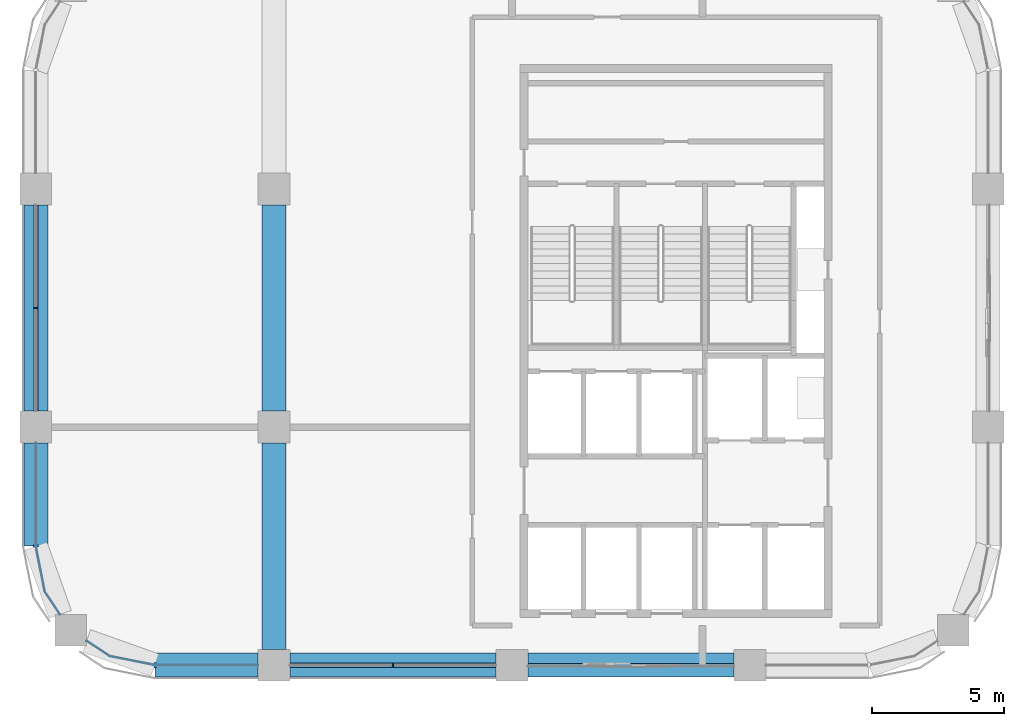
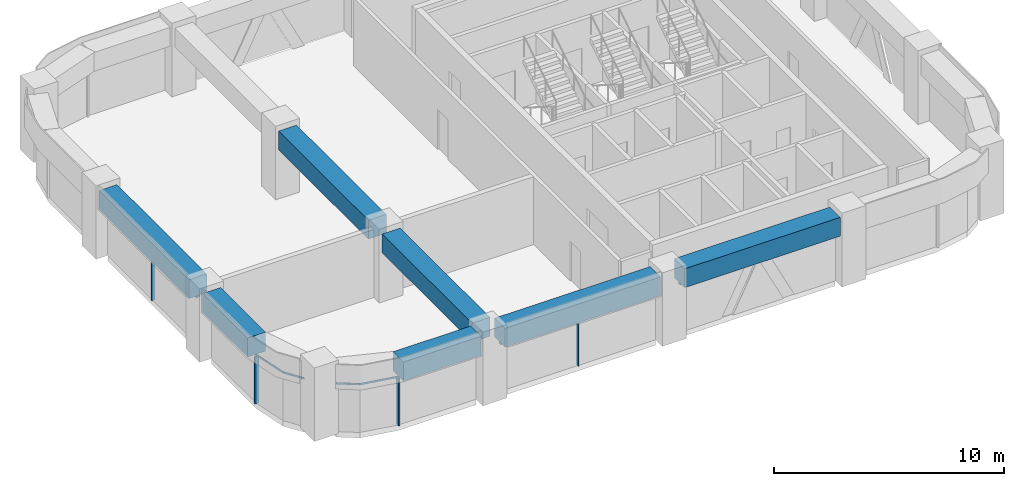
# One storey, part 2 of 9: 9 members, 7 beams, 5 elements without a shape of their own.
"""IFC4 building model written with IfcOpenShell, lengths in metres."""

from ifc_helpers import new_model, si_unit, direction, frame, origin, origin_2d, place, context, subcontext, project, spatial, polyline, rectangle, outline, extrude, material, material_profile, profile_set, type_object, element, aggregate, save


model = new_model("IFC4")

# Units and contexts
model_context = context("Model", 3, precision=1e-05, world=origin(), true_north=direction((0.0, 1.0)))
body_context = subcontext(model_context, "Body", "Model", "MODEL_VIEW")
ifc_project = project(units=[si_unit("LENGTHUNIT", "METRE"), si_unit("AREAUNIT", "SQUARE_METRE"), si_unit("VOLUMEUNIT", "CUBIC_METRE"), si_unit("PLANEANGLEUNIT", "RADIAN"), si_unit("MASSUNIT", "GRAM", prefix="KILO")], contexts=[model_context])

# Site, building, storey
site_placement = place(None, origin())
site = spatial("IfcSite", under=ifc_project, at=site_placement, CompositionType="ELEMENT")
building_placement = place(site_placement, origin())
building = spatial("IfcBuilding", under=site, at=building_placement, Name="Tessera Arch", CompositionType="ELEMENT")
storey_placement = place(building_placement, frame((0.0, 0.0, 305.10009765625)))
storey = spatial("IfcBuildingStorey", under=building, at=storey_placement, Name="L73", CompositionType="ELEMENT", Elevation=305.10009765625)

# Curtain wall, member
ifc_material_1 = material(Name="CW1 curtain wall")
curtain_wall_type_1 = type_object("IfcCurtainWallType", Name="CW1 curtain wall", PredefinedType="NOTDEFINED", material=ifc_material_1)
curtain_wall_1_placement = place(storey_placement, origin())
curtain_wall_1 = element("IfcCurtainWall", 1, at=curtain_wall_1_placement, inside=storey, type_object=curtain_wall_type_1, Name="CW1 curtain wall W18.27/1 L73", PredefinedType="NOTDEFINED")
ifc_material_2 = material(Name="Anodised aluminium pale metal", Category="aluminium")
ifc_material_profile_1 = material_profile(ifc_material_2, rectangle(XDim=0.159912109375, YDim=0.06005859375, at=origin_2d()), Name="AL 60x160")
ifc_profile_set_1 = profile_set([ifc_material_profile_1], Name="Anodised aluminium pale metal")
member_type_1 = type_object("IfcMemberType", Name="CW1 mullion", PredefinedType="MULLION", material=ifc_profile_set_1)
member_1_placement = place(storey_placement, frame((18.0, 40.5, 0.0), z_axis=(0.0, 0.0, 1.0), x_axis=(1.0, 0.0, 0.0)))
member_1 = element("IfcMember", 2, at=member_1_placement, type_object=member_type_1, Name="CW1 mullion W18.27/1 1", PredefinedType="MULLION", context=body_context, shape_type="SweptSolid", body=[
    extrude(rectangle(XDim=0.159912109375, YDim=0.06005859375, at=origin_2d()), origin(), (0.0, 0.0, 1.0), 2.5),
])

curtain_wall_2_placement = place(storey_placement, origin())
curtain_wall_2 = element("IfcCurtainWall", 3, at=curtain_wall_2_placement, inside=storey, type_object=curtain_wall_type_1, Name="CW1 curtain wall S27.18/1 L73", PredefinedType="NOTDEFINED")
member_2_placement = place(storey_placement, frame((31.5, 27.0, 0.0), z_axis=(0.0, 0.0, 1.0), x_axis=(0.0, 1.0, 0.0)))
member_2 = element("IfcMember", 4, at=member_2_placement, type_object=member_type_1, Name="CW1 mullion S27.18/1 1", PredefinedType="MULLION", context=body_context, shape_type="SweptSolid", body=[
    extrude(rectangle(XDim=0.159912109375, YDim=0.06005859375, at=origin_2d()), origin(), (0.0, 0.0, 1.0), 2.5),
])

# Member
ifc_material_3 = material(Name="Anodised aluminium pale metal", Category="aluminium")
ifc_material_profile_2 = material_profile(ifc_material_3, rectangle(XDim=0.159912109375, YDim=0.10009765625, at=origin_2d()), Name="AL 160x100")
ifc_profile_set_2 = profile_set([ifc_material_profile_2], Name="Anodised aluminium pale metal")
member_type_2 = type_object("IfcMemberType", Name="CW1 transom", PredefinedType="USERDEFINED", material=ifc_profile_set_2)
member_3_placement = place(storey_placement, frame((18.0, 44.39990234375, 2.5498046875), z_axis=(0.0, -1.0, 0.0), x_axis=(1.0, 0.0, 0.0)))
member_3 = element("IfcMember", 5, at=member_3_placement, type_object=member_type_2, Name="CW1 transom W18.27/1 1.1", ObjectType="TRANSOM", PredefinedType="USERDEFINED", context=body_context, shape_type="SweptSolid", body=[
    extrude(rectangle(XDim=0.159912109375, YDim=0.10009765625, at=origin_2d()), origin(), (0.0, 0.0, 1.0), 7.7998046875),
])

aggregate(curtain_wall_1, [member_1, member_3])

member_4_placement = place(storey_placement, frame((27.60009765625, 27.0, 2.5498046875), z_axis=(1.0, 0.0, 0.0), x_axis=(0.0, 1.0, 0.0)))
member_4 = element("IfcMember", 6, at=member_4_placement, type_object=member_type_2, Name="CW1 transom S27.18/1 1.1", ObjectType="TRANSOM", PredefinedType="USERDEFINED", context=body_context, shape_type="SweptSolid", body=[
    extrude(rectangle(XDim=0.159912109375, YDim=0.10009765625, at=origin_2d()), origin(), (0.0, 0.0, 1.0), 7.7998046875),
])

aggregate(curtain_wall_2, [member_2, member_4])

# Curtain wall, member
ifc_material_4 = material(Name="CW2 curtain wall")
curtain_wall_type_2 = type_object("IfcCurtainWallType", Name="CW2 curtain wall", PredefinedType="NOTDEFINED", material=ifc_material_4)
curtain_wall_3_placement = place(storey_placement, origin())
curtain_wall_3 = element("IfcCurtainWall", 7, at=curtain_wall_3_placement, inside=storey, type_object=curtain_wall_type_2, Name="CW2 curtain wall W18.27/2 L73", PredefinedType="NOTDEFINED")
ifc_material_5 = material(Name="Anodised aluminium pale metal", Category="aluminium")
ifc_material_profile_3 = material_profile(ifc_material_5, rectangle(XDim=0.199951171875, YDim=0.080078125, at=origin_2d()), Name="AL 80x200")
ifc_profile_set_3 = profile_set([ifc_material_profile_3], Name="Anodised aluminium pale metal")
member_type_3 = type_object("IfcMemberType", Name="CW2 mullion", PredefinedType="MULLION", material=ifc_profile_set_3)
member_5_placement = place(storey_placement, frame((18.0, 31.5, 0.0), z_axis=(0.0, 0.0, 1.0), x_axis=(1.0, 0.0, 0.0)))
member_5 = element("IfcMember", 8, at=member_5_placement, type_object=member_type_3, Name="CW2 mullion W18.27/2 1", PredefinedType="MULLION", context=body_context, shape_type="SweptSolid", body=[
    extrude(rectangle(XDim=0.199951171875, YDim=0.080078125, at=origin_2d()), origin(), (0.0, 0.0, 1.0), 2.5),
])

curtain_wall_4_placement = place(storey_placement, origin())
curtain_wall_4 = element("IfcCurtainWall", 9, at=curtain_wall_4_placement, inside=storey, type_object=curtain_wall_type_2, Name="CW2 curtain wall S27.18/0 L73", PredefinedType="NOTDEFINED")
member_6_placement = place(storey_placement, frame((22.5, 27.0, 0.0), z_axis=(0.0, 0.0, 1.0), x_axis=(0.0, 1.0, 0.0)))
member_6 = element("IfcMember", 10, at=member_6_placement, type_object=member_type_3, Name="CW2 mullion S27.18/0 1", PredefinedType="MULLION", context=body_context, shape_type="SweptSolid", body=[
    extrude(rectangle(XDim=0.199951171875, YDim=0.080078125, at=origin_2d()), origin(), (0.0, 0.0, 1.0), 2.5),
])

# Member
ifc_material_6 = material(Name="Anodised aluminium pale metal", Category="aluminium")
ifc_material_profile_4 = material_profile(ifc_material_6, rectangle(XDim=0.199951171875, YDim=0.10009765625, at=origin_2d()), Name="AL 200x100")
ifc_profile_set_4 = profile_set([ifc_material_profile_4], Name="Anodised aluminium pale metal")
member_type_4 = type_object("IfcMemberType", Name="CW2 transom", PredefinedType="USERDEFINED", material=ifc_profile_set_4)
member_7_placement = place(storey_placement, frame((0.0, 0.0, 2.5)))
member_7 = element("IfcMember", 11, at=member_7_placement, type_object=member_type_4, Name="CW2 transom W18.27/2 1", ObjectType="TRANSOM", PredefinedType="USERDEFINED", context=body_context, shape_type="SweptSolid", body=[
    extrude(outline(polyline([(18.010009765625, 31.5009765625), (18.010009765625, 35.39990234375), (17.989990234375, 35.39990234375), (17.989990234375, 31.4990234375), (18.3330078125, 29.77392578125), (18.90869140625, 28.912353515625), (18.92529296875, 28.923583984375), (18.351806640625, 29.78173828125), (18.010009765625, 31.5009765625)])), origin(), (0.0, 0.0, 1.0), 0.099853515625),
])

aggregate(curtain_wall_3, [member_5, member_7])

member_8_placement = place(storey_placement, frame((0.0, 0.0, 2.5)))
member_8 = element("IfcMember", 12, at=member_8_placement, type_object=member_type_4, Name="CW2 transom S27.18/0 1", ObjectType="TRANSOM", PredefinedType="USERDEFINED", context=body_context, shape_type="SweptSolid", body=[
    extrude(outline(polyline([(20.78173828125, 27.351806640625), (19.923583984375, 27.92529296875), (19.912353515625, 27.90869140625), (20.77392578125, 27.3330078125), (22.4990234375, 26.989990234375), (26.39990234375, 26.989990234375), (26.39990234375, 27.010009765625), (22.5009765625, 27.010009765625), (20.78173828125, 27.351806640625)])), origin(), (0.0, 0.0, 1.0), 0.099853515625),
])

aggregate(curtain_wall_4, [member_6, member_8])

# Curtain wall, member
ifc_material_7 = material(Name="CW3 curtain wall")
curtain_wall_type_3 = type_object("IfcCurtainWallType", Name="CW3 curtain wall", PredefinedType="NOTDEFINED", material=ifc_material_7)
curtain_wall_5_placement = place(storey_placement, origin())
curtain_wall_5 = element("IfcCurtainWall", 13, at=curtain_wall_5_placement, inside=storey, type_object=curtain_wall_type_3, Name="CW3 curtain wall S27.18/2 L73", PredefinedType="NOTDEFINED")
ifc_material_8 = material(Name="Anodised aluminium pale metal", Category="aluminium")
ifc_material_profile_5 = material_profile(ifc_material_8, rectangle(XDim=0.139892578125, YDim=0.10009765625, at=origin_2d()), Name="AL 140x100")
ifc_profile_set_5 = profile_set([ifc_material_profile_5], Name="Anodised aluminium pale metal")
member_type_5 = type_object("IfcMemberType", Name="CW3 transom", PredefinedType="USERDEFINED", material=ifc_profile_set_5)
member_9_placement = place(storey_placement, frame((36.60009765625, 27.0, 2.5498046875), z_axis=(1.0, 0.0, 0.0), x_axis=(0.0, 1.0, 0.0)))
member_9 = element("IfcMember", 14, at=member_9_placement, type_object=member_type_5, Name="CW3 transom S27.18/2 1.1", ObjectType="TRANSOM", PredefinedType="USERDEFINED", context=body_context, shape_type="SweptSolid", body=[
    extrude(rectangle(XDim=0.139892578125, YDim=0.10009765625, at=origin_2d()), origin(), (0.0, 0.0, 1.0), 7.7998046875),
])
aggregate(curtain_wall_5, [member_9])

# Beams
ifc_material_9 = material(Name="Concrete C60/75", Category="concrete")
ifc_material_profile_6 = material_profile(ifc_material_9, rectangle(XDim=0.89990234375, YDim=1.0, at=origin_2d()), Name="RC spandrel beam 900 x 1000 Concrete C60/75")
ifc_profile_set_6 = profile_set([ifc_material_profile_6], Name="Concrete C60/75")
beam_type = type_object("IfcBeamType", Name="RC spandrel beam 900 x 1000 Concrete C60/75", PredefinedType="BEAM", material=ifc_profile_set_6)
beam_placement = place(storey_placement, frame((18.0, 44.39990234375, 3.099853515625), z_axis=(0.0, -1.0, 0.0), x_axis=(1.0, 0.0, 0.0)))
element("IfcBeam", 15, at=beam_placement, inside=storey, type_object=beam_type, Name="Spandrel beam L73 W18.27/1", PredefinedType="BEAM", context=body_context, shape_type="SweptSolid", body=[
    extrude(rectangle(XDim=0.89990234375, YDim=1.0, at=origin_2d()), origin(), (0.0, 0.0, 1.0), 7.7998046875),
])
for number, where, z_axis, x_axis, name in (
    (16, (18.0, 35.39990234375, 3.099853515625), (0.0, -1.0, 0.0), (1.0, 0.0, 0.0), "Spandrel beam L73 W18.27/2.1"),
    (17, (22.5, 27.0, 3.099853515625), (1.0, 0.0, 0.0), (0.0, 1.0, 0.0), "Spandrel beam L73 S27.18/0.2"),
):
    element("IfcBeam", number, at=place(storey_placement, frame(where, z_axis=z_axis, x_axis=x_axis)), inside=storey, type_object=beam_type, Name=name, PredefinedType="BEAM", context=body_context, shape_type="SweptSolid", body=[
        extrude(rectangle(XDim=0.89990234375, YDim=1.0, at=origin_2d()), origin(), (0.0, 0.0, 1.0), 3.89990234375),
    ])
for number, where, z_axis, x_axis, name in (
    (18, (27.60009765625, 27.0, 3.099853515625), (1.0, 0.0, 0.0), (0.0, 1.0, 0.0), "Spandrel beam L73 S27.18/1"),
    (19, (36.60009765625, 27.0, 3.099853515625), (1.0, 0.0, 0.0), (0.0, 1.0, 0.0), "Spandrel beam L73 S27.18/2"),
    (20, (27.0, 27.60009765625, 3.099853515625), (0.0, 1.0, 0.0), (-1.0, 0.0, 0.0), "Interface beam L73 I0C4D-C4E"),
    (21, (27.0, 36.60009765625, 3.099853515625), (0.0, 1.0, 0.0), (-1.0, 0.0, 0.0), "Interface beam L73 I0C4E-C4F"),
):
    element("IfcBeam", number, at=place(storey_placement, frame(where, z_axis=z_axis, x_axis=x_axis)), inside=storey, type_object=beam_type, Name=name, PredefinedType="BEAM", context=body_context, shape_type="SweptSolid", body=[
        extrude(rectangle(XDim=0.89990234375, YDim=1.0, at=origin_2d()), origin(), (0.0, 0.0, 1.0), 7.7998046875),
    ])

save(model, "model.ifc")
